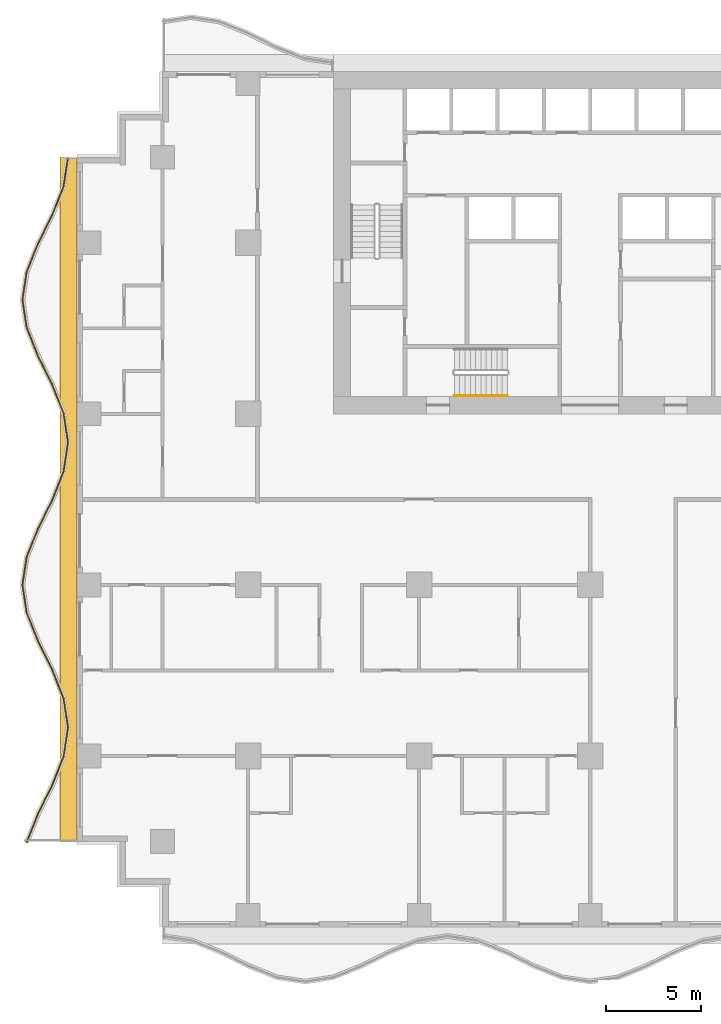
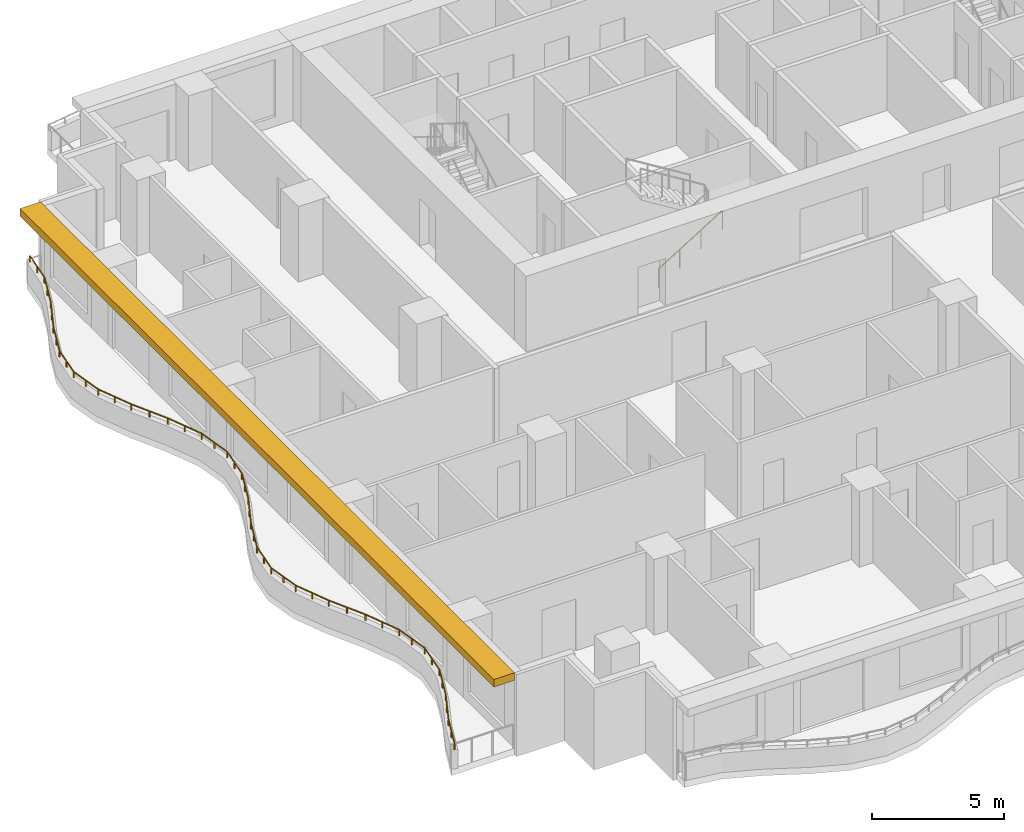
# One storey, part 8 of 13: 2 railings, 1 shading device.
"""IFC4 building model written with IfcOpenShell, lengths in metres."""

from ifc_helpers import new_model, si_unit, direction, frame, origin, origin_2d, place, context, subcontext, project, spatial, polyline, rectangle, circle, outline, extrude, material, layer, layer_set, type_object, element, save


model = new_model("IFC4")

# Units and contexts
model_context = context("Model", 3, precision=1e-05, world=origin(), true_north=direction((0.0, 1.0)))
body_context = subcontext(model_context, "Body", "Model", "MODEL_VIEW")
ifc_project = project(units=[si_unit("LENGTHUNIT", "METRE"), si_unit("AREAUNIT", "SQUARE_METRE"), si_unit("VOLUMEUNIT", "CUBIC_METRE"), si_unit("PLANEANGLEUNIT", "RADIAN"), si_unit("MASSUNIT", "GRAM", prefix="KILO")], contexts=[model_context])

# Site, building, storey
site_placement = place(None, origin())
site = spatial("IfcSite", under=ifc_project, at=site_placement, CompositionType="ELEMENT")
building_placement = place(site_placement, origin())
building = spatial("IfcBuilding", under=site, at=building_placement, Name="Orbiselva Terraces", CompositionType="ELEMENT")
storey_placement = place(building_placement, frame((0.0, 0.0, 99.8)))
storey = spatial("IfcBuildingStorey", under=building, at=storey_placement, Name="L25", CompositionType="ELEMENT", Elevation=99.8)

# Railings
ifc_material_1 = material(Name="Stainless steel", Category="steel")
railing_type_1 = type_object("IfcRailingType", Name="CORE-HANDRAIL-900", PredefinedType="HANDRAIL", material=ifc_material_1)
railing_1_placement = place(storey_placement, frame((-7.15, 5.45, 0.172727)))
element("IfcRailing", 1, at=railing_1_placement, inside=storey, type_object=railing_type_1, Name="L25 S3 stair handrail 1", PredefinedType="HANDRAIL", context=body_context, shape_type="SweptSolid", body=[
    extrude(circle(Radius=0.024, at=origin_2d()), frame((0.0, 0.0, 0.876), z_axis=(0.851088519012, 0.0, 0.52502222125), x_axis=(0.0, 1.0, 0.0)), (0.0, 0.0, 1.0), 3.289905),
    extrude(circle(Radius=0.021, at=origin_2d()), origin(), (0.0, 0.0, 1.0), 0.852),
    extrude(circle(Radius=0.021, at=origin_2d()), frame((0.933333, 0.0, 0.575758)), (0.0, 0.0, 1.0), 0.852),
    extrude(circle(Radius=0.021, at=origin_2d()), frame((1.866667, 0.0, 1.151515)), (0.0, 0.0, 1.0), 0.852),
    extrude(circle(Radius=0.021, at=origin_2d()), frame((2.8, 0.0, 1.727273)), (0.0, 0.0, 1.0), 0.852),
])
ifc_material_2 = material(Name="Bonded two-ply safety glass balustrade, stainless steel posts", Category="steel")
railing_type_2 = type_object("IfcRailingType", Name="ENV-BALUSTRADE-1200", PredefinedType="BALUSTRADE", material=ifc_material_2)
railing_2_placement = place(storey_placement, frame((-27.476434, 17.981121, 0.9)))
element("IfcRailing", 2, at=railing_2_placement, inside=storey, type_object=railing_type_2, Name="Balcony balustrade L25 W", PredefinedType="BALUSTRADE", context=body_context, shape_type="SweptSolid", body=[
    extrude(outline(polyline([(0.028868, 0.0), (0.014434, 0.025), (-0.014434, 0.025), (-0.028868, 0.0), (-0.014434, -0.025), (0.014434, -0.025), (0.028868, 0.0)])), frame((0.0, 0.0, 0.275), z_axis=(-0.151033869252, -0.988528588529, 0.0), x_axis=(0.988528588529, -0.151033869252, 0.0)), (0.0, 0.0, 1.0), 1.531776),
    extrude(outline(polyline([(0.028868, 0.0), (0.014434, 0.025), (-0.014434, 0.025), (-0.028868, 0.0), (-0.014434, -0.025), (0.014434, -0.025), (0.028868, 0.0)])), frame((-0.23135, -1.514204, 0.275), z_axis=(-0.371390359967, -0.92847681744, 0.0), x_axis=(0.92847681744, -0.371390359967, 0.0)), (0.0, 0.0, 1.0), 1.634838),
    extrude(outline(polyline([(0.028868, 0.0), (0.014434, 0.025), (-0.014434, 0.025), (-0.028868, 0.0), (-0.014434, -0.025), (0.014434, -0.025), (0.028868, 0.0)])), frame((-0.838513, -3.032113, 0.275), z_axis=(-0.443212307306, -0.896416672454, 0.0), x_axis=(0.896416672454, -0.443212307306, 0.0)), (0.0, 0.0, 1.0), 1.673329),
    extrude(outline(polyline([(0.028868, 0.0), (0.014434, 0.025), (-0.014434, 0.025), (-0.028868, 0.0), (-0.014434, -0.025), (0.014434, -0.025), (0.028868, 0.0)])), frame((-1.580153, -4.532113, 0.275), z_axis=(-0.371391000387, -0.928476561272, 0.0), x_axis=(0.928476561272, -0.371391000387, 0.0)), (0.0, 0.0, 1.0), 1.596261),
    extrude(outline(polyline([(0.028868, 0.0), (0.014434, 0.025), (-0.014434, 0.025), (-0.028868, 0.0), (-0.014434, -0.025), (0.014434, -0.025), (0.028868, 0.0)])), frame((-2.17299, -6.014204, 0.275), z_axis=(-0.151033749027, -0.988528606898, 0.0), x_axis=(0.988528606898, -0.151033749027, 0.0)), (0.0, 0.0, 1.0), 1.48394),
    extrude(outline(polyline([(0.028868, 0.0), (0.014434, 0.025), (-0.014434, 0.025), (-0.028868, 0.0), (-0.014434, -0.025), (0.014434, -0.025), (0.028868, 0.0)])), frame((-2.397115, -7.481121, 0.275), z_axis=(0.151033749027, -0.988528606898, 0.0), x_axis=(0.988528606898, 0.151033749027, 0.0)), (0.0, 0.0, 1.0), 1.48394),
    extrude(outline(polyline([(0.028868, 0.0), (0.014434, 0.025), (-0.014434, 0.025), (-0.028868, 0.0), (-0.014434, -0.025), (0.014434, -0.025), (0.028868, 0.0)])), frame((-2.17299, -8.948038, 0.275), z_axis=(0.371391000387, -0.928476561272, 0.0), x_axis=(0.928476561272, 0.371391000387, 0.0)), (0.0, 0.0, 1.0), 1.596261),
    extrude(outline(polyline([(0.028868, 0.0), (0.014434, 0.025), (-0.014434, 0.025), (-0.028868, 0.0), (-0.014434, -0.025), (0.014434, -0.025), (0.028868, 0.0)])), frame((-1.580153, -10.430129, 0.275), z_axis=(0.443212307306, -0.896416672454, 0.0), x_axis=(0.896416672454, 0.443212307306, 0.0)), (0.0, 0.0, 1.0), 1.673329),
    extrude(outline(polyline([(0.028868, 0.0), (0.014434, 0.025), (-0.014434, 0.025), (-0.028868, 0.0), (-0.014434, -0.025), (0.014434, -0.025), (0.028868, 0.0)])), frame((-0.838513, -11.930129, 0.275), z_axis=(0.371390359967, -0.92847681744, 0.0), x_axis=(0.92847681744, 0.371390359967, 0.0)), (0.0, 0.0, 1.0), 1.634838),
    extrude(outline(polyline([(0.028868, 0.0), (0.014434, 0.025), (-0.014434, 0.025), (-0.028868, 0.0), (-0.014434, -0.025), (0.014434, -0.025), (0.028868, 0.0)])), frame((-0.23135, -13.448038, 0.275), z_axis=(0.151034211256, -0.988528536275, 0.0), x_axis=(0.988528536275, 0.151034211256, 0.0)), (0.0, 0.0, 1.0), 1.550874),
    extrude(outline(polyline([(0.028868, 0.0), (0.014434, 0.025), (-0.014434, 0.025), (-0.028868, 0.0), (-0.014434, -0.025), (0.014434, -0.025), (0.028868, 0.0)])), frame((0.002885, -14.981121, 0.275), z_axis=(-0.151034211256, -0.988528536275, 0.0), x_axis=(0.988528536275, -0.151034211256, 0.0)), (0.0, 0.0, 1.0), 1.550874),
    extrude(outline(polyline([(0.028868, 0.0), (0.014434, 0.025), (-0.014434, 0.025), (-0.028868, 0.0), (-0.014434, -0.025), (0.014434, -0.025), (0.028868, 0.0)])), frame((-0.23135, -16.514204, 0.275), z_axis=(-0.371390359967, -0.92847681744, 0.0), x_axis=(0.92847681744, -0.371390359967, 0.0)), (0.0, 0.0, 1.0), 1.634838),
    extrude(outline(polyline([(0.028868, 0.0), (0.014434, 0.025), (-0.014434, 0.025), (-0.028868, 0.0), (-0.014434, -0.025), (0.014434, -0.025), (0.028868, 0.0)])), frame((-0.838513, -18.032113, 0.275), z_axis=(-0.443212307306, -0.896416672454, 0.0), x_axis=(0.896416672454, -0.443212307306, 0.0)), (0.0, 0.0, 1.0), 1.673329),
    extrude(outline(polyline([(0.028868, 0.0), (0.014434, 0.025), (-0.014434, 0.025), (-0.028868, 0.0), (-0.014434, -0.025), (0.014434, -0.025), (0.028868, 0.0)])), frame((-1.580153, -19.532113, 0.275), z_axis=(-0.371391000387, -0.928476561272, 0.0), x_axis=(0.928476561272, -0.371391000387, 0.0)), (0.0, 0.0, 1.0), 1.596261),
    extrude(outline(polyline([(0.028868, 0.0), (0.014434, 0.025), (-0.014434, 0.025), (-0.028868, 0.0), (-0.014434, -0.025), (0.014434, -0.025), (0.028868, 0.0)])), frame((-2.17299, -21.014204, 0.275), z_axis=(-0.151033749027, -0.988528606898, 0.0), x_axis=(0.988528606898, -0.151033749027, 0.0)), (0.0, 0.0, 1.0), 1.48394),
    extrude(outline(polyline([(0.028868, 0.0), (0.014434, 0.025), (-0.014434, 0.025), (-0.028868, 0.0), (-0.014434, -0.025), (0.014434, -0.025), (0.028868, 0.0)])), frame((-2.397115, -22.481121, 0.275), z_axis=(0.151033749027, -0.988528606898, 0.0), x_axis=(0.988528606898, 0.151033749027, 0.0)), (0.0, 0.0, 1.0), 1.48394),
    extrude(outline(polyline([(0.028868, 0.0), (0.014434, 0.025), (-0.014434, 0.025), (-0.028868, 0.0), (-0.014434, -0.025), (0.014434, -0.025), (0.028868, 0.0)])), frame((-2.17299, -23.948038, 0.275), z_axis=(0.371391000387, -0.928476561272, 0.0), x_axis=(0.928476561272, 0.371391000387, 0.0)), (0.0, 0.0, 1.0), 1.596261),
    extrude(outline(polyline([(0.028868, 0.0), (0.014434, 0.025), (-0.014434, 0.025), (-0.028868, 0.0), (-0.014434, -0.025), (0.014434, -0.025), (0.028868, 0.0)])), frame((-1.580153, -25.430129, 0.275), z_axis=(0.443212307306, -0.896416672454, 0.0), x_axis=(0.896416672454, 0.443212307306, 0.0)), (0.0, 0.0, 1.0), 1.673329),
    extrude(outline(polyline([(0.028868, 0.0), (0.014434, 0.025), (-0.014434, 0.025), (-0.028868, 0.0), (-0.014434, -0.025), (0.014434, -0.025), (0.028868, 0.0)])), frame((-0.838513, -26.930129, 0.275), z_axis=(0.371390359967, -0.92847681744, 0.0), x_axis=(0.92847681744, 0.371390359967, 0.0)), (0.0, 0.0, 1.0), 1.634838),
    extrude(outline(polyline([(0.028868, 0.0), (0.014434, 0.025), (-0.014434, 0.025), (-0.028868, 0.0), (-0.014434, -0.025), (0.014434, -0.025), (0.028868, 0.0)])), frame((-0.23135, -28.448038, 0.275), z_axis=(0.151034211256, -0.988528536275, 0.0), x_axis=(0.988528536275, 0.151034211256, 0.0)), (0.0, 0.0, 1.0), 1.550874),
    extrude(outline(polyline([(0.028868, 0.0), (0.014434, 0.025), (-0.014434, 0.025), (-0.028868, 0.0), (-0.014434, -0.025), (0.014434, -0.025), (0.028868, 0.0)])), frame((0.002885, -29.981121, 0.275), z_axis=(-0.151034211256, -0.988528536275, 0.0), x_axis=(0.988528536275, -0.151034211256, 0.0)), (0.0, 0.0, 1.0), 1.550874),
    extrude(outline(polyline([(0.028868, 0.0), (0.014434, 0.025), (-0.014434, 0.025), (-0.028868, 0.0), (-0.014434, -0.025), (0.014434, -0.025), (0.028868, 0.0)])), frame((-0.23135, -31.514204, 0.275), z_axis=(-0.371390359967, -0.92847681744, 0.0), x_axis=(0.92847681744, -0.371390359967, 0.0)), (0.0, 0.0, 1.0), 1.634838),
    extrude(outline(polyline([(0.028868, 0.0), (0.014434, 0.025), (-0.014434, 0.025), (-0.028868, 0.0), (-0.014434, -0.025), (0.014434, -0.025), (0.028868, 0.0)])), frame((-0.838513, -33.032113, 0.275), z_axis=(-0.443212307306, -0.896416672454, 0.0), x_axis=(0.896416672454, -0.443212307306, 0.0)), (0.0, 0.0, 1.0), 1.673329),
    extrude(outline(polyline([(0.028868, 0.0), (0.014434, 0.025), (-0.014434, 0.025), (-0.028868, 0.0), (-0.014434, -0.025), (0.014434, -0.025), (0.028868, 0.0)])), frame((-1.580153, -34.532113, 0.275), z_axis=(-0.371390783402, -0.928476648066, 0.0), x_axis=(0.928476648066, -0.371390783402, 0.0)), (0.0, 0.0, 1.0), 1.61063),
    extrude(rectangle(XDim=0.05, YDim=0.05, at=origin_2d()), origin(), (0.0, 0.0, 1.0), 0.25),
    extrude(rectangle(XDim=0.05, YDim=0.05, at=origin_2d()), frame((-0.115675, -0.757102, 0.0)), (0.0, 0.0, 1.0), 0.25),
    extrude(rectangle(XDim=0.05, YDim=0.05, at=origin_2d()), frame((-0.23135, -1.514204, 0.0)), (0.0, 0.0, 1.0), 0.25),
    extrude(rectangle(XDim=0.05, YDim=0.05, at=origin_2d()), frame((-0.534931, -2.273159, 0.0)), (0.0, 0.0, 1.0), 0.25),
    extrude(rectangle(XDim=0.05, YDim=0.05, at=origin_2d()), frame((-0.838513, -3.032113, 0.0)), (0.0, 0.0, 1.0), 0.25),
    extrude(rectangle(XDim=0.05, YDim=0.05, at=origin_2d()), frame((-1.209333, -3.782113, 0.0)), (0.0, 0.0, 1.0), 0.25),
    extrude(rectangle(XDim=0.05, YDim=0.05, at=origin_2d()), frame((-1.580153, -4.532113, 0.0)), (0.0, 0.0, 1.0), 0.25),
    extrude(rectangle(XDim=0.05, YDim=0.05, at=origin_2d()), frame((-1.876571, -5.273159, 0.0)), (0.0, 0.0, 1.0), 0.25),
    extrude(rectangle(XDim=0.05, YDim=0.05, at=origin_2d()), frame((-2.17299, -6.014204, 0.0)), (0.0, 0.0, 1.0), 0.25),
    extrude(rectangle(XDim=0.05, YDim=0.05, at=origin_2d()), frame((-2.285052, -6.747663, 0.0)), (0.0, 0.0, 1.0), 0.25),
    extrude(rectangle(XDim=0.05, YDim=0.05, at=origin_2d()), frame((-2.397115, -7.481121, 0.0)), (0.0, 0.0, 1.0), 0.25),
    extrude(rectangle(XDim=0.05, YDim=0.05, at=origin_2d()), frame((-2.285052, -8.21458, 0.0)), (0.0, 0.0, 1.0), 0.25),
    extrude(rectangle(XDim=0.05, YDim=0.05, at=origin_2d()), frame((-2.17299, -8.948038, 0.0)), (0.0, 0.0, 1.0), 0.25),
    extrude(rectangle(XDim=0.05, YDim=0.05, at=origin_2d()), frame((-1.876571, -9.689084, 0.0)), (0.0, 0.0, 1.0), 0.25),
    extrude(rectangle(XDim=0.05, YDim=0.05, at=origin_2d()), frame((-1.580153, -10.430129, 0.0)), (0.0, 0.0, 1.0), 0.25),
    extrude(rectangle(XDim=0.05, YDim=0.05, at=origin_2d()), frame((-1.209333, -11.180129, 0.0)), (0.0, 0.0, 1.0), 0.25),
    extrude(rectangle(XDim=0.05, YDim=0.05, at=origin_2d()), frame((-0.838513, -11.930129, 0.0)), (0.0, 0.0, 1.0), 0.25),
    extrude(rectangle(XDim=0.05, YDim=0.05, at=origin_2d()), frame((-0.534931, -12.689084, 0.0)), (0.0, 0.0, 1.0), 0.25),
    extrude(rectangle(XDim=0.05, YDim=0.05, at=origin_2d()), frame((-0.23135, -13.448038, 0.0)), (0.0, 0.0, 1.0), 0.25),
    extrude(rectangle(XDim=0.05, YDim=0.05, at=origin_2d()), frame((-0.114232, -14.21458, 0.0)), (0.0, 0.0, 1.0), 0.25),
    extrude(rectangle(XDim=0.05, YDim=0.05, at=origin_2d()), frame((0.002885, -14.981121, 0.0)), (0.0, 0.0, 1.0), 0.25),
    extrude(rectangle(XDim=0.05, YDim=0.05, at=origin_2d()), frame((-0.114232, -15.747663, 0.0)), (0.0, 0.0, 1.0), 0.25),
    extrude(rectangle(XDim=0.05, YDim=0.05, at=origin_2d()), frame((-0.23135, -16.514204, 0.0)), (0.0, 0.0, 1.0), 0.25),
    extrude(rectangle(XDim=0.05, YDim=0.05, at=origin_2d()), frame((-0.534931, -17.273158, 0.0)), (0.0, 0.0, 1.0), 0.25),
    extrude(rectangle(XDim=0.05, YDim=0.05, at=origin_2d()), frame((-0.838513, -18.032113, 0.0)), (0.0, 0.0, 1.0), 0.25),
    extrude(rectangle(XDim=0.05, YDim=0.05, at=origin_2d()), frame((-1.209333, -18.782113, 0.0)), (0.0, 0.0, 1.0), 0.25),
    extrude(rectangle(XDim=0.05, YDim=0.05, at=origin_2d()), frame((-1.580153, -19.532113, 0.0)), (0.0, 0.0, 1.0), 0.25),
    extrude(rectangle(XDim=0.05, YDim=0.05, at=origin_2d()), frame((-1.876571, -20.273158, 0.0)), (0.0, 0.0, 1.0), 0.25),
    extrude(rectangle(XDim=0.05, YDim=0.05, at=origin_2d()), frame((-2.17299, -21.014204, 0.0)), (0.0, 0.0, 1.0), 0.25),
    extrude(rectangle(XDim=0.05, YDim=0.05, at=origin_2d()), frame((-2.285052, -21.747663, 0.0)), (0.0, 0.0, 1.0), 0.25),
    extrude(rectangle(XDim=0.05, YDim=0.05, at=origin_2d()), frame((-2.397115, -22.481121, 0.0)), (0.0, 0.0, 1.0), 0.25),
    extrude(rectangle(XDim=0.05, YDim=0.05, at=origin_2d()), frame((-2.285052, -23.21458, 0.0)), (0.0, 0.0, 1.0), 0.25),
    extrude(rectangle(XDim=0.05, YDim=0.05, at=origin_2d()), frame((-2.17299, -23.948038, 0.0)), (0.0, 0.0, 1.0), 0.25),
    extrude(rectangle(XDim=0.05, YDim=0.05, at=origin_2d()), frame((-1.876571, -24.689084, 0.0)), (0.0, 0.0, 1.0), 0.25),
    extrude(rectangle(XDim=0.05, YDim=0.05, at=origin_2d()), frame((-1.580153, -25.430129, 0.0)), (0.0, 0.0, 1.0), 0.25),
    extrude(rectangle(XDim=0.05, YDim=0.05, at=origin_2d()), frame((-1.209333, -26.180129, 0.0)), (0.0, 0.0, 1.0), 0.25),
    extrude(rectangle(XDim=0.05, YDim=0.05, at=origin_2d()), frame((-0.838513, -26.930129, 0.0)), (0.0, 0.0, 1.0), 0.25),
    extrude(rectangle(XDim=0.05, YDim=0.05, at=origin_2d()), frame((-0.534931, -27.689084, 0.0)), (0.0, 0.0, 1.0), 0.25),
    extrude(rectangle(XDim=0.05, YDim=0.05, at=origin_2d()), frame((-0.23135, -28.448038, 0.0)), (0.0, 0.0, 1.0), 0.25),
    extrude(rectangle(XDim=0.05, YDim=0.05, at=origin_2d()), frame((-0.114232, -29.21458, 0.0)), (0.0, 0.0, 1.0), 0.25),
    extrude(rectangle(XDim=0.05, YDim=0.05, at=origin_2d()), frame((0.002885, -29.981121, 0.0)), (0.0, 0.0, 1.0), 0.25),
    extrude(rectangle(XDim=0.05, YDim=0.05, at=origin_2d()), frame((-0.114232, -30.747662, 0.0)), (0.0, 0.0, 1.0), 0.25),
    extrude(rectangle(XDim=0.05, YDim=0.05, at=origin_2d()), frame((-0.23135, -31.514204, 0.0)), (0.0, 0.0, 1.0), 0.25),
    extrude(rectangle(XDim=0.05, YDim=0.05, at=origin_2d()), frame((-0.534931, -32.273158, 0.0)), (0.0, 0.0, 1.0), 0.25),
    extrude(rectangle(XDim=0.05, YDim=0.05, at=origin_2d()), frame((-0.838513, -33.032113, 0.0)), (0.0, 0.0, 1.0), 0.25),
    extrude(rectangle(XDim=0.05, YDim=0.05, at=origin_2d()), frame((-1.209333, -33.782113, 0.0)), (0.0, 0.0, 1.0), 0.25),
    extrude(rectangle(XDim=0.05, YDim=0.05, at=origin_2d()), frame((-1.580153, -34.532113, 0.0)), (0.0, 0.0, 1.0), 0.25),
    extrude(rectangle(XDim=0.05, YDim=0.05, at=origin_2d()), frame((-1.879239, -35.279829, 0.0)), (0.0, 0.0, 1.0), 0.25),
    extrude(rectangle(XDim=0.05, YDim=0.05, at=origin_2d()), frame((-2.178326, -36.027545, 0.0)), (0.0, 0.0, 1.0), 0.25),
])

# Shading device
ifc_material_3 = material(Name="Terracotta baguette sunshade", Category="masonry")
ifc_layer = layer(ifc_material_3, 0.35)
ifc_layer_set = layer_set([ifc_layer], Name="Terracotta baguette sunshade")
shading_device_type = type_object("IfcShadingDeviceType", Name="ENV-SUNSHADE-900x350", PredefinedType="USERDEFINED", material=ifc_layer_set)
shading_device_placement = place(storey_placement, frame((0.0, 0.0, 3.15)))
element("IfcShadingDevice", 3, at=shading_device_placement, inside=storey, type_object=shading_device_type, Name="Sunshade band L25 W", ObjectType="SUNSHADE", PredefinedType="USERDEFINED", context=body_context, shape_type="SweptSolid", body=[
    extrude(outline(polyline([(-27.9, 18.0), (-27.9, -18.0), (-27.0, -18.0), (-27.0, 18.0), (-27.9, 18.0)])), origin(), (0.0, 0.0, 1.0), 0.35),
])

save(model, "model.ifc")
